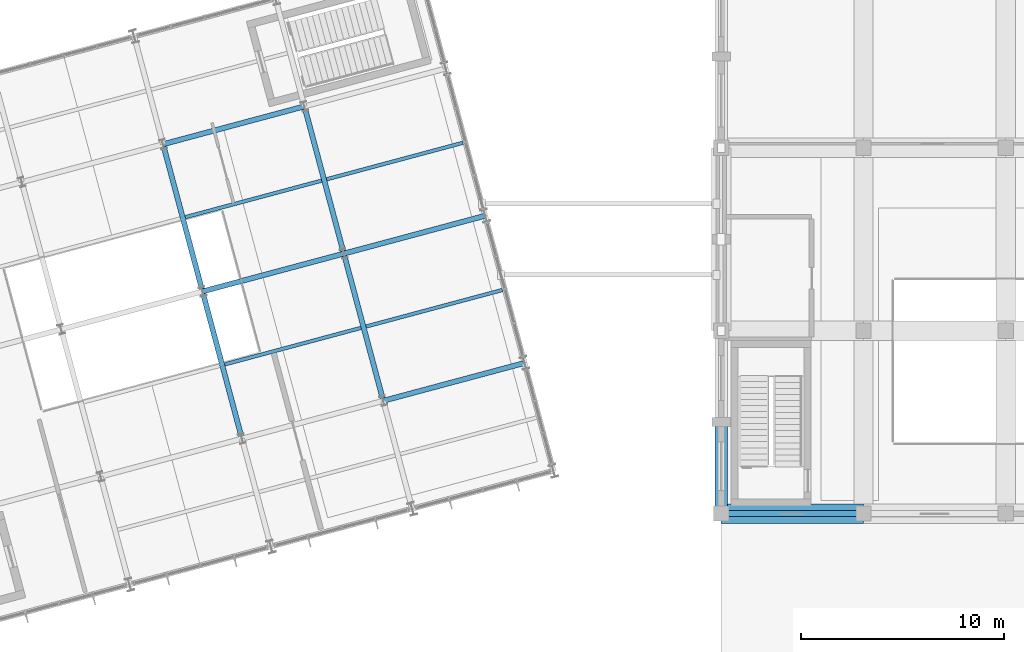
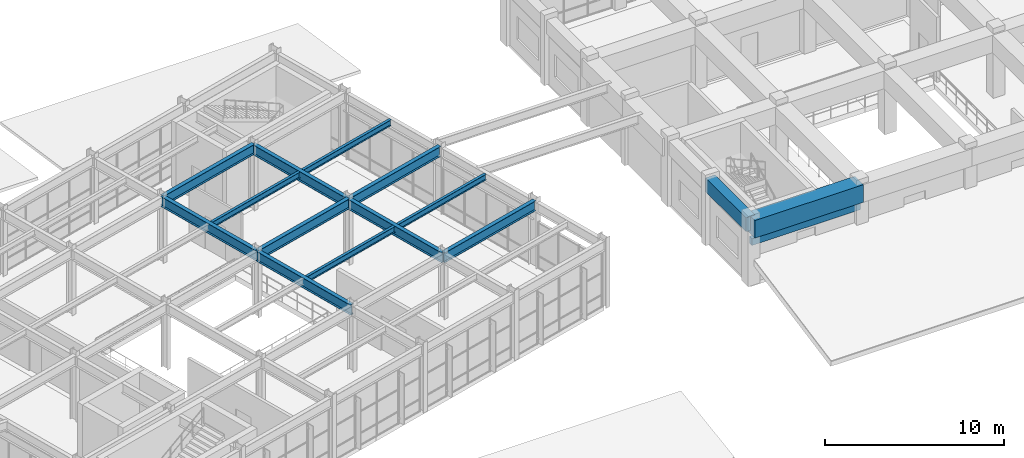
# One storey, part 48 of 104: 15 beams.
"""IFC4 building model written with IfcOpenShell, lengths in metres."""

from ifc_helpers import new_model, si_unit, direction, frame, origin, origin_2d, place, context, subcontext, project, spatial, rectangle, i_section, extrude, material, material_profile, profile_set, type_object, element, save


model = new_model("IFC4")

# Units and contexts
model_context = context("Model", 3, precision=1e-05, world=origin(), true_north=direction((0.0, 1.0)))
body_context = subcontext(model_context, "Body", "Model", "MODEL_VIEW")
ifc_project = project(units=[si_unit("LENGTHUNIT", "METRE"), si_unit("AREAUNIT", "SQUARE_METRE"), si_unit("VOLUMEUNIT", "CUBIC_METRE"), si_unit("PLANEANGLEUNIT", "RADIAN"), si_unit("MASSUNIT", "GRAM", prefix="KILO")], contexts=[model_context])

# Site, building, storey
site_placement = place(None, origin())
site = spatial("IfcSite", under=ifc_project, at=site_placement, CompositionType="ELEMENT")
building_placement = place(site_placement, origin())
building = spatial("IfcBuilding", under=site, at=building_placement, Name="Ventoquebrada Cableway Terminal", CompositionType="ELEMENT")
storey_placement = place(building_placement, frame((0.0, 0.0, 4.800048828125)))
storey = spatial("IfcBuildingStorey", under=building, at=storey_placement, Name="L01", CompositionType="ELEMENT", Elevation=4.800048828125)

# Beams
ifc_material_1 = material(Name="Concrete C40/50", Category="concrete")
ifc_material_profile_1 = material_profile(ifc_material_1, rectangle(XDim=0.60009765625, YDim=0.949951171875, at=origin_2d()), Name="RC-BM-600X950")
ifc_profile_set_1 = profile_set([ifc_material_profile_1], Name="Concrete C40/50")
beam_type_1 = type_object("IfcBeamType", Name="BM-RC05", PredefinedType="BEAM", material=ifc_profile_set_1)
beam_1_placement = place(storey_placement, frame((95.0, 77.0, 3.974853515625), z_axis=(0.0, 1.0, 0.0), x_axis=(-1.0, 0.0, 0.0)))
element("IfcBeam", 1, at=beam_1_placement, inside=storey, type_object=beam_type_1, Name="Perimeter spandrel beam FBM-0643", PredefinedType="BEAM", context=body_context, shape_type="SweptSolid", body=[
    extrude(rectangle(XDim=0.60009765625, YDim=0.949951171875, at=origin_2d()), origin(), (0.0, 0.0, 1.0), 4.5),
])
ifc_material_profile_2 = material_profile(ifc_material_1, rectangle(XDim=0.949951171875, YDim=1.199951171875, at=origin_2d()), Name="RC-BM-950X1200")
ifc_profile_set_2 = profile_set([ifc_material_profile_2], Name="Concrete C40/50")
beam_type_2 = type_object("IfcBeamType", Name="BM-RC06", PredefinedType="BEAM", material=ifc_profile_set_2)
beam_2_placement = place(storey_placement, frame((95.0, 77.0, 3.849853515625), z_axis=(1.0, 0.0, 0.0), x_axis=(0.0, 1.0, 0.0)))
element("IfcBeam", 2, at=beam_2_placement, inside=storey, type_object=beam_type_2, Name="Primary frame girder FBM-0627", PredefinedType="BEAM", context=body_context, shape_type="SweptSolid", body=[
    extrude(rectangle(XDim=0.949951171875, YDim=1.199951171875, at=origin_2d()), origin(), (0.0, 0.0, 1.0), 7.0),
])
ifc_material_2 = material(Name="Steel ASTM A992 Grade 50", Category="steel")
ifc_material_profile_3 = material_profile(ifc_material_2, i_section(OverallWidth=0.25390625, OverallDepth=0.68798828125, WebThickness=0.01318359375, FlangeThickness=0.02099609375, at=origin_2d()), Name="W27X102")
ifc_profile_set_3 = profile_set([ifc_material_profile_3], Name="Steel ASTM A992 Grade 50")
beam_type_3 = type_object("IfcBeamType", Name="BM-ST04", PredefinedType="BEAM", material=ifc_profile_set_3)
beam_3_placement = place(storey_placement, frame((71.41796875, 80.68701171875, 4.130859375), z_axis=(-0.258776761059, 0.965937155273, 0.0), x_axis=(-0.965937155273, -0.258776761059, 0.0)))
element("IfcBeam", 3, at=beam_3_placement, inside=storey, type_object=beam_type_3, Name="Splayed station girder FBM-1030", PredefinedType="BEAM", context=body_context, shape_type="SweptSolid", body=[
    extrude(i_section(OverallWidth=0.25390625, OverallDepth=0.68798828125, WebThickness=0.01318359375, FlangeThickness=0.02099609375, at=origin_2d()), origin(), (0.0, 0.0, 1.0), 7.500244140625),
])
beam_4_placement = place(storey_placement, frame((69.47705078125, 87.931884765625, 4.130859375), z_axis=(-0.258831545324, 0.965922476778, 0.0), x_axis=(-0.965922476778, -0.258831545324, 0.0)))
element("IfcBeam", 4, at=beam_4_placement, inside=storey, type_object=beam_type_3, Name="Splayed station girder FBM-1031", PredefinedType="BEAM", context=body_context, shape_type="SweptSolid", body=[
    extrude(i_section(OverallWidth=0.25390625, OverallDepth=0.68798828125, WebThickness=0.01318359375, FlangeThickness=0.02099609375, at=origin_2d()), origin(), (0.0, 0.0, 1.0), 7.499755859375),
])
beam_5_placement = place(storey_placement, frame((78.373046875, 82.551025390625, 4.130859375), z_axis=(-0.258839684269, 0.965920295805, 0.0), x_axis=(-0.965920295805, -0.258839684269, 0.0)))
element("IfcBeam", 5, at=beam_5_placement, inside=storey, type_object=beam_type_3, Name="Splayed station girder FBM-1034", PredefinedType="BEAM", context=body_context, shape_type="SweptSolid", body=[
    extrude(i_section(OverallWidth=0.25390625, OverallDepth=0.68798828125, WebThickness=0.01318359375, FlangeThickness=0.02099609375, at=origin_2d()), origin(), (0.0, 0.0, 1.0), 7.49951171875),
])
beam_6_placement = place(storey_placement, frame((76.431884765625, 89.794921875, 4.130859375), z_axis=(-0.258768624905, 0.96593933493, 0.0), x_axis=(-0.96593933493, -0.258768624905, 0.0)))
element("IfcBeam", 6, at=beam_6_placement, inside=storey, type_object=beam_type_3, Name="Splayed station girder FBM-1035", PredefinedType="BEAM", context=body_context, shape_type="SweptSolid", body=[
    extrude(i_section(OverallWidth=0.25390625, OverallDepth=0.68798828125, WebThickness=0.01318359375, FlangeThickness=0.02099609375, at=origin_2d()), origin(), (0.0, 0.0, 1.0), 7.50048828125),
])
for number, where, z_axis, x_axis, name in (
    (7, (78.373046875, 82.551025390625, 4.130859375), (0.965943360086, 0.258753599214, 0.0), (-0.258753599214, 0.965943360086, 0.0), "Splayed station girder FBM-1050"),
    (8, (69.47705078125, 87.931884765625, 4.130859375), (0.965943360086, 0.258753599214, 0.0), (-0.258753599214, 0.965943360086, 0.0), "Splayed station girder FBM-1054"),
):
    element("IfcBeam", number, at=place(storey_placement, frame(where, z_axis=z_axis, x_axis=x_axis)), inside=storey, type_object=beam_type_3, Name=name, PredefinedType="BEAM", context=body_context, shape_type="SweptSolid", body=[
        extrude(i_section(OverallWidth=0.25390625, OverallDepth=0.68798828125, WebThickness=0.01318359375, FlangeThickness=0.02099609375, at=origin_2d()), origin(), (0.0, 0.0, 1.0), 7.199951171875),
    ])
for number, where, z_axis, x_axis, name in (
    (9, (76.431884765625, 89.794921875, 4.130859375), (0.96591172503, 0.258871665986, 0.0), (-0.258871665986, 0.96591172503, 0.0), "Splayed station girder FBM-1055"),
    (10, (67.535888671875, 95.176025390625, 4.130859375), (0.96591172503, 0.258871665986, 0.0), (-0.258871665986, 0.96591172503, 0.0), "Splayed station girder FBM-1059"),
):
    element("IfcBeam", number, at=place(storey_placement, frame(where, z_axis=z_axis, x_axis=x_axis)), inside=storey, type_object=beam_type_3, Name=name, PredefinedType="BEAM", context=body_context, shape_type="SweptSolid", body=[
        extrude(i_section(OverallWidth=0.25390625, OverallDepth=0.68798828125, WebThickness=0.01318359375, FlangeThickness=0.02099609375, at=origin_2d()), origin(), (0.0, 0.0, 1.0), 7.200439453125),
    ])
ifc_material_profile_4 = material_profile(ifc_material_2, i_section(OverallWidth=0.177978515625, OverallDepth=0.406005859375, WebThickness=0.0078125, FlangeThickness=0.0126953125, at=origin_2d()), Name="W16X40")
ifc_profile_set_4 = profile_set([ifc_material_profile_4], Name="Steel ASTM A992 Grade 50")
beam_type_4 = type_object("IfcBeamType", Name="JST-ST06", PredefinedType="JOIST", material=ifc_profile_set_4)
beam_7_placement = place(storey_placement, frame((70.571044921875, 84.342041015625, 4.27197265625), z_axis=(0.965919180953, 0.258843844561, 0.0), x_axis=(-0.258843844561, 0.965919180953, 0.0)))
element("IfcBeam", 11, at=beam_7_placement, inside=storey, type_object=beam_type_4, Name="Splayed deck joist FBM-1075", PredefinedType="JOIST", context=body_context, shape_type="SweptSolid", body=[
    extrude(i_section(OverallWidth=0.177978515625, OverallDepth=0.406005859375, WebThickness=0.0078125, FlangeThickness=0.0126953125, at=origin_2d()), origin(), (0.0, 0.0, 1.0), 6.94580078125),
])
beam_8_placement = place(storey_placement, frame((68.62890625, 91.5869140625, 4.27197265625), z_axis=(0.965922167338, 0.258832700107, 0.0), x_axis=(-0.258832700107, 0.965922167338, 0.0)))
element("IfcBeam", 12, at=beam_8_placement, inside=storey, type_object=beam_type_4, Name="Splayed deck joist FBM-1076", PredefinedType="JOIST", context=body_context, shape_type="SweptSolid", body=[
    extrude(i_section(OverallWidth=0.177978515625, OverallDepth=0.406005859375, WebThickness=0.0078125, FlangeThickness=0.0126953125, at=origin_2d()), origin(), (0.0, 0.0, 1.0), 6.947021484375),
])
beam_9_placement = place(storey_placement, frame((77.52490234375, 86.2060546875, 4.27197265625), z_axis=(0.965930953195, 0.258799910472, 0.0), x_axis=(-0.258799910472, 0.965930953195, 0.0)))
element("IfcBeam", 13, at=beam_9_placement, inside=storey, type_object=beam_type_4, Name="Splayed deck joist FBM-1079", PredefinedType="JOIST", context=body_context, shape_type="SweptSolid", body=[
    extrude(i_section(OverallWidth=0.177978515625, OverallDepth=0.406005859375, WebThickness=0.0078125, FlangeThickness=0.0126953125, at=origin_2d()), origin(), (0.0, 0.0, 1.0), 6.94677734375),
])
beam_10_placement = place(storey_placement, frame((75.583984375, 93.449951171875, 4.27197265625), z_axis=(0.96591039222, 0.258876638963, 0.0), x_axis=(-0.258876638963, 0.96591039222, 0.0)))
element("IfcBeam", 14, at=beam_10_placement, inside=storey, type_object=beam_type_4, Name="Splayed deck joist FBM-1080", PredefinedType="JOIST", context=body_context, shape_type="SweptSolid", body=[
    extrude(i_section(OverallWidth=0.177978515625, OverallDepth=0.406005859375, WebThickness=0.0078125, FlangeThickness=0.0126953125, at=origin_2d()), origin(), (0.0, 0.0, 1.0), 6.94580078125),
])
ifc_material_profile_5 = material_profile(ifc_material_1, rectangle(XDim=0.300048828125, YDim=0.449951171875, at=origin_2d()), Name="RC-LNT-300X450")
ifc_profile_set_5 = profile_set([ifc_material_profile_5], Name="Concrete C40/50")
beam_type_5 = type_object("IfcBeamType", Name="LN-RC01", PredefinedType="LINTEL", material=ifc_profile_set_5)
beam_11_placement = place(storey_placement, frame((95.0, 77.0, 2.77490234375), z_axis=(1.0, 0.0, 0.0), x_axis=(0.0, 1.0, 0.0)))
element("IfcBeam", 15, at=beam_11_placement, inside=storey, type_object=beam_type_5, Name="Portal opening lintel beam LN-011", PredefinedType="LINTEL", context=body_context, shape_type="SweptSolid", body=[
    extrude(rectangle(XDim=0.300048828125, YDim=0.449951171875, at=origin_2d()), origin(), (0.0, 0.0, 1.0), 7.0),
])

save(model, "model.ifc")
